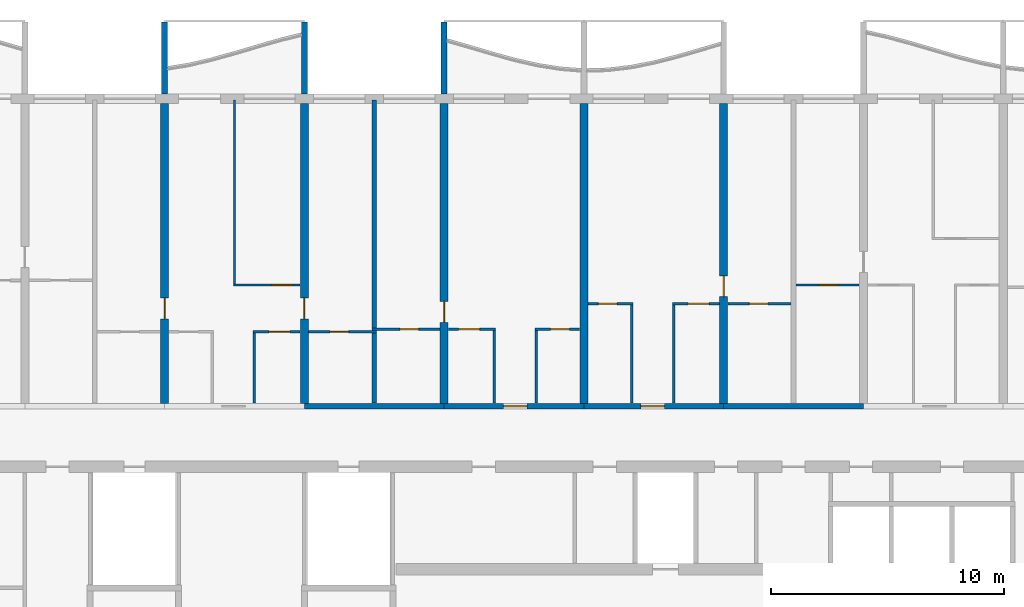
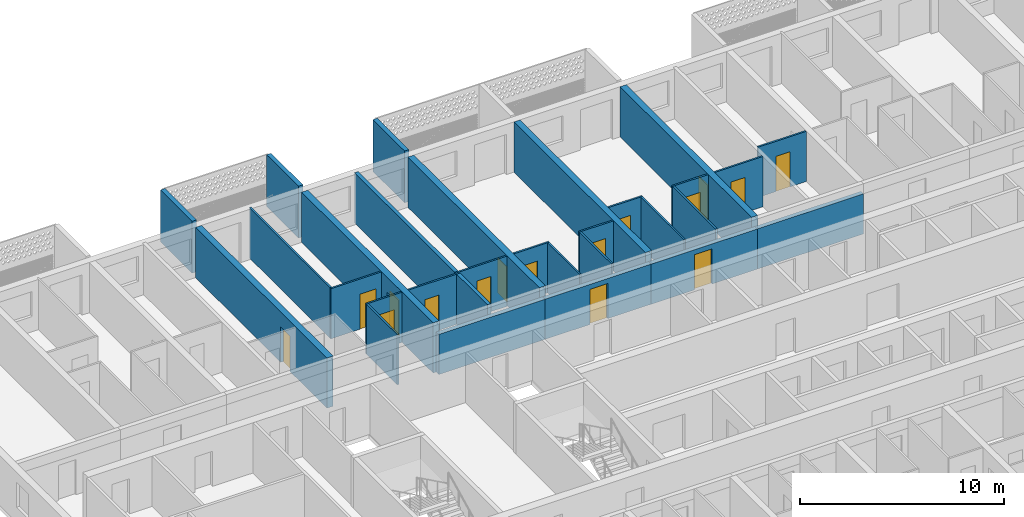
# One storey, part 10 of 24: 30 walls, 16 doors, 16 openings.
"""IFC4 building model written with IfcOpenShell, lengths in metres."""

from ifc_helpers import new_model, si_unit, direction, frame, frame_2d, origin, place, context, subcontext, project, spatial, polyline, rectangle, outline, extrude, source, transform, mapped, material, layer, layer_set, type_object, element, fill, save


model = new_model("IFC4")

# Units and contexts
model_context = context("Model", 3, precision=1e-05, world=origin(), true_north=direction((0.0, 1.0)))
body_context = subcontext(model_context, "Body", "Model", "MODEL_VIEW")
ifc_project = project(units=[si_unit("LENGTHUNIT", "METRE"), si_unit("AREAUNIT", "SQUARE_METRE"), si_unit("VOLUMEUNIT", "CUBIC_METRE"), si_unit("PLANEANGLEUNIT", "RADIAN"), si_unit("MASSUNIT", "GRAM", prefix="KILO")], contexts=[model_context])

# Site, building, storey
site_placement = place(None, origin())
site = spatial("IfcSite", under=ifc_project, at=site_placement, CompositionType="ELEMENT")
building_placement = place(site_placement, origin())
building = spatial("IfcBuilding", under=site, at=building_placement, Name="Poui Terraces", CompositionType="ELEMENT")
storey_placement = place(building_placement, frame((0.0, 0.0, 102.60009765625)))
storey = spatial("IfcBuildingStorey", under=building, at=storey_placement, Name="L28", CompositionType="ELEMENT", Elevation=102.60009765625)

# Wall
ifc_material_1 = material(Name="Concrete 65 MPa", Category="concrete")
ifc_layer_1 = layer(ifc_material_1, 0.25)
ifc_layer_set_1 = layer_set([ifc_layer_1], Name="Concrete 65 MPa")
wall_type_1 = type_object("IfcWallType", Name="CORRIDOR WALL 250 65MPa", PredefinedType="SHEAR", material=ifc_layer_set_1)
wall_1_placement = place(storey_placement, frame((30.0, 30.39990234375, 0.0), z_axis=(0.0, 0.0, 1.0), x_axis=(1.0, 0.0, 0.0)))
element("IfcWall", 1, at=wall_1_placement, inside=storey, type_object=wall_type_1, Name="CORRIDOR WALL LINE E BAY 5", PredefinedType="SHEAR", context=body_context, shape_type="SweptSolid", body=[
    extrude(rectangle(XDim=6.0, YDim=0.25, at=frame_2d((3.0, 0.0))), origin(), (0.0, 0.0, 1.0), 2.39990234375),
])

# Wall, opening, door
wall_2_placement = place(storey_placement, frame((36.0, 30.39990234375, 0.0), z_axis=(0.0, 0.0, 1.0), x_axis=(1.0, 0.0, 0.0)))
wall_2 = element("IfcWall", 2, at=wall_2_placement, inside=storey, type_object=wall_type_1, Name="CORRIDOR WALL LINE E BAY 6", PredefinedType="SHEAR", context=body_context, shape_type="SweptSolid", body=[
    extrude(rectangle(XDim=6.0, YDim=0.25, at=frame_2d((3.0, 0.0))), origin(), (0.0, 0.0, 1.0), 2.39990234375),
])
opening_1_placement = place(wall_2_placement, frame((2.550048828125, 0.0, 0.0)))
opening_1 = element("IfcOpeningElement", 3, at=opening_1_placement, cuts=wall_2, Name="Opening FD30S", PredefinedType="OPENING", context=body_context, shape_type="SweptSolid", body=[
    extrude(rectangle(XDim=1.0, YDim=2.10009765625, at=frame_2d((0.5, 1.050048828125))), frame((0.0, 0.135009765625, 0.0), z_axis=(0.0, -1.0, 0.0), x_axis=(1.0, 0.0, 0.0)), (0.0, 0.0, 1.0), 0.27001953125),
])
ifc_material_2 = material(Name="Steel fire door", Category="steel")
door_type_1 = type_object("IfcDoorType", Name="FLAT ENTRANCE DOOR 1000 X 2100", OperationType="NOTDEFINED", PredefinedType="DOOR", material=ifc_material_2)
door_1_placement = place(opening_1_placement, origin())
door_1 = element("IfcDoor", 4, at=door_1_placement, inside=storey, type_object=door_type_1, Name="FLAT ENTRANCE DOOR 048", OperationType="SINGLE_SWING_RIGHT", OverallHeight=2.10009765625, OverallWidth=1.0, PredefinedType="DOOR", context=body_context, shape_type="SweptSolid", body=[
    extrude(rectangle(XDim=1.0, YDim=2.10009765625, at=frame_2d((0.5, 1.050048828125))), frame((0.0, 0.02490234375, 0.0), z_axis=(0.0, -1.0, 0.0), x_axis=(1.0, 0.0, 0.0)), (0.0, 0.0, 1.0), 0.050048828125),
])
fill(opening_1, door_1)

wall_3_placement = place(storey_placement, frame((42.0, 30.39990234375, 0.0), z_axis=(0.0, 0.0, 1.0), x_axis=(1.0, 0.0, 0.0)))
wall_3 = element("IfcWall", 5, at=wall_3_placement, inside=storey, type_object=wall_type_1, Name="CORRIDOR WALL LINE E BAY 7", PredefinedType="SHEAR", context=body_context, shape_type="SweptSolid", body=[
    extrude(rectangle(XDim=6.0, YDim=0.25, at=frame_2d((3.0, 0.0))), origin(), (0.0, 0.0, 1.0), 2.39990234375),
])
opening_2_placement = place(wall_3_placement, frame((2.449951171875, 0.0, 0.0)))
opening_2 = element("IfcOpeningElement", 6, at=opening_2_placement, cuts=wall_3, Name="Opening FD30S", PredefinedType="OPENING", context=body_context, shape_type="SweptSolid", body=[
    extrude(rectangle(XDim=1.0, YDim=2.10009765625, at=frame_2d((0.5, 1.050048828125))), frame((0.0, 0.135009765625, 0.0), z_axis=(0.0, -1.0, 0.0), x_axis=(1.0, 0.0, 0.0)), (0.0, 0.0, 1.0), 0.27001953125),
])
door_2_placement = place(opening_2_placement, origin())
door_2 = element("IfcDoor", 7, at=door_2_placement, inside=storey, type_object=door_type_1, Name="FLAT ENTRANCE DOOR 052", OperationType="SINGLE_SWING_LEFT", OverallHeight=2.10009765625, OverallWidth=1.0, PredefinedType="DOOR", context=body_context, shape_type="SweptSolid", body=[
    extrude(rectangle(XDim=1.0, YDim=2.10009765625, at=frame_2d((0.5, 1.050048828125))), frame((0.0, 0.02490234375, 0.0), z_axis=(0.0, -1.0, 0.0), x_axis=(1.0, 0.0, 0.0)), (0.0, 0.0, 1.0), 0.050048828125),
])
fill(opening_2, door_2)

# Wall
wall_4_placement = place(storey_placement, frame((48.0, 30.39990234375, 0.0), z_axis=(0.0, 0.0, 1.0), x_axis=(1.0, 0.0, 0.0)))
element("IfcWall", 8, at=wall_4_placement, inside=storey, type_object=wall_type_1, Name="CORRIDOR WALL LINE E BAY 8", PredefinedType="SHEAR", context=body_context, shape_type="SweptSolid", body=[
    extrude(rectangle(XDim=6.0, YDim=0.25, at=frame_2d((3.0, 0.0))), origin(), (0.0, 0.0, 1.0), 2.39990234375),
])

# Wall, opening, door
ifc_layer_2 = layer(ifc_material_1, 0.35009765625)
ifc_layer_set_2 = layer_set([ifc_layer_2], Name="Concrete 65 MPa")
wall_type_2 = type_object("IfcWallType", Name="CROSS WALL 350 65MPa", PredefinedType="SHEAR", material=ifc_layer_set_2)
wall_5_placement = place(storey_placement, frame((24.0, 30.52490234375, 0.0), z_axis=(0.0, 0.0, 1.0), x_axis=(0.0, 1.0, 0.0)))
wall_5 = element("IfcWall", 9, at=wall_5_placement, inside=storey, type_object=wall_type_2, Name="CROSS WALL LINE 5 NORTH", PredefinedType="SHEAR", context=body_context, shape_type="SweptSolid", body=[
    extrude(rectangle(XDim=12.875, YDim=0.35009765625, at=frame_2d((6.4375, 0.0))), origin(), (0.0, 0.0, 1.0), 3.0),
])
opening_3_placement = place(wall_5_placement, frame((3.625, 0.0, 0.0)))
opening_3 = element("IfcOpeningElement", 10, at=opening_3_placement, cuts=wall_5, Name="Opening D90", PredefinedType="OPENING", context=body_context, shape_type="SweptSolid", body=[
    extrude(rectangle(XDim=0.89990234375, YDim=2.10009765625, at=frame_2d((0.449951171875, 1.050048828125))), frame((0.0, 0.18505859375, 0.0), z_axis=(0.0, -1.0, 0.0), x_axis=(1.0, 0.0, 0.0)), (0.0, 0.0, 1.0), 0.3701171875),
])
ifc_material_3 = material(Name="Solid core timber door", Category="wood")
door_type_2 = type_object("IfcDoorType", Name="INTERNAL DOOR 900 X 2100", OperationType="NOTDEFINED", PredefinedType="DOOR", material=ifc_material_3)
door_3_placement = place(opening_3_placement, origin())
door_3 = element("IfcDoor", 11, at=door_3_placement, inside=storey, type_object=door_type_2, Name="INTERNAL DOOR 039", OperationType="SINGLE_SWING_LEFT", OverallHeight=2.10009765625, OverallWidth=0.89990234375, PredefinedType="DOOR", context=body_context, shape_type="SweptSolid", body=[
    extrude(rectangle(XDim=0.89990234375, YDim=2.10009765625, at=frame_2d((0.449951171875, 1.050048828125))), frame((0.0, 0.02490234375, 0.0), z_axis=(0.0, -1.0, 0.0), x_axis=(1.0, 0.0, 0.0)), (0.0, 0.0, 1.0), 0.050048828125),
])
fill(opening_3, door_3)

wall_6_placement = place(storey_placement, frame((30.0, 30.52490234375, 0.0), z_axis=(0.0, 0.0, 1.0), x_axis=(0.0, 1.0, 0.0)))
wall_6 = element("IfcWall", 12, at=wall_6_placement, inside=storey, type_object=wall_type_2, Name="CROSS WALL LINE 6 NORTH", PredefinedType="SHEAR", context=body_context, shape_type="SweptSolid", body=[
    extrude(rectangle(XDim=12.875, YDim=0.35009765625, at=frame_2d((6.4375, 0.0))), origin(), (0.0, 0.0, 1.0), 3.0),
])
opening_4_placement = place(wall_6_placement, frame((3.625, 0.0, 0.0)))
opening_4 = element("IfcOpeningElement", 13, at=opening_4_placement, cuts=wall_6, Name="Opening D90", PredefinedType="OPENING", context=body_context, shape_type="SweptSolid", body=[
    extrude(rectangle(XDim=0.89990234375, YDim=2.10009765625, at=frame_2d((0.449951171875, 1.050048828125))), frame((0.0, 0.18505859375, 0.0), z_axis=(0.0, -1.0, 0.0), x_axis=(1.0, 0.0, 0.0)), (0.0, 0.0, 1.0), 0.3701171875),
])
door_4_placement = place(opening_4_placement, frame((0.89990234375, 0.0, 0.0), z_axis=(0.0, 0.0, 1.0), x_axis=(-1.0, 0.0, 0.0)))
door_4 = element("IfcDoor", 14, at=door_4_placement, inside=storey, type_object=door_type_2, Name="INTERNAL DOOR 044", OperationType="SINGLE_SWING_RIGHT", OverallHeight=2.10009765625, OverallWidth=0.89990234375, PredefinedType="DOOR", context=body_context, shape_type="SweptSolid", body=[
    extrude(rectangle(XDim=0.89990234375, YDim=2.10009765625, at=frame_2d((0.449951171875, 1.050048828125))), frame((0.0, 0.02490234375, 0.0), z_axis=(0.0, -1.0, 0.0), x_axis=(1.0, 0.0, 0.0)), (0.0, 0.0, 1.0), 0.050048828125),
])
fill(opening_4, door_4)

wall_7_placement = place(storey_placement, frame((36.0, 30.52490234375, 0.0), z_axis=(0.0, 0.0, 1.0), x_axis=(0.0, 1.0, 0.0)))
wall_7 = element("IfcWall", 15, at=wall_7_placement, inside=storey, type_object=wall_type_2, Name="CROSS WALL LINE 7 NORTH", PredefinedType="SHEAR", context=body_context, shape_type="SweptSolid", body=[
    extrude(rectangle(XDim=12.875, YDim=0.35009765625, at=frame_2d((6.4375, 0.0))), origin(), (0.0, 0.0, 1.0), 3.0),
])
opening_5_placement = place(wall_7_placement, frame((3.47509765625, 0.0, 0.0)))
opening_5 = element("IfcOpeningElement", 16, at=opening_5_placement, cuts=wall_7, Name="Opening D90", PredefinedType="OPENING", context=body_context, shape_type="SweptSolid", body=[
    extrude(rectangle(XDim=0.89990234375, YDim=2.10009765625, at=frame_2d((0.449951171875, 1.050048828125))), frame((0.0, 0.18505859375, 0.0), z_axis=(0.0, -1.0, 0.0), x_axis=(1.0, 0.0, 0.0)), (0.0, 0.0, 1.0), 0.3701171875),
])
door_5_placement = place(opening_5_placement, origin())
door_5 = element("IfcDoor", 17, at=door_5_placement, inside=storey, type_object=door_type_2, Name="INTERNAL DOOR 046", OperationType="SINGLE_SWING_LEFT", OverallHeight=2.10009765625, OverallWidth=0.89990234375, PredefinedType="DOOR", context=body_context, shape_type="SweptSolid", body=[
    extrude(rectangle(XDim=0.89990234375, YDim=2.10009765625, at=frame_2d((0.449951171875, 1.050048828125))), frame((0.0, 0.02490234375, 0.0), z_axis=(0.0, -1.0, 0.0), x_axis=(1.0, 0.0, 0.0)), (0.0, 0.0, 1.0), 0.050048828125),
])
fill(opening_5, door_5)

# Wall
wall_8_placement = place(storey_placement, frame((42.0, 30.52490234375, 0.0), z_axis=(0.0, 0.0, 1.0), x_axis=(0.0, 1.0, 0.0)))
element("IfcWall", 18, at=wall_8_placement, inside=storey, type_object=wall_type_2, Name="CROSS WALL LINE 8 NORTH", PredefinedType="SHEAR", context=body_context, shape_type="SweptSolid", body=[
    extrude(rectangle(XDim=12.875, YDim=0.35009765625, at=frame_2d((6.4375, 0.0))), origin(), (0.0, 0.0, 1.0), 3.0),
])

# Wall, opening, door
wall_9_placement = place(storey_placement, frame((48.0, 30.52490234375, 0.0), z_axis=(0.0, 0.0, 1.0), x_axis=(0.0, 1.0, 0.0)))
wall_9 = element("IfcWall", 19, at=wall_9_placement, inside=storey, type_object=wall_type_2, Name="CROSS WALL LINE 9 NORTH", PredefinedType="SHEAR", context=body_context, shape_type="SweptSolid", body=[
    extrude(rectangle(XDim=12.875, YDim=0.35009765625, at=frame_2d((6.4375, 0.0))), origin(), (0.0, 0.0, 1.0), 3.0),
])
opening_6_placement = place(wall_9_placement, frame((4.574951171875, 0.0, 0.0)))
opening_6 = element("IfcOpeningElement", 20, at=opening_6_placement, cuts=wall_9, Name="Opening D90", PredefinedType="OPENING", context=body_context, shape_type="SweptSolid", body=[
    extrude(rectangle(XDim=0.89990234375, YDim=2.10009765625, at=frame_2d((0.449951171875, 1.050048828125))), frame((0.0, 0.18505859375, 0.0), z_axis=(0.0, -1.0, 0.0), x_axis=(1.0, 0.0, 0.0)), (0.0, 0.0, 1.0), 0.3701171875),
])
door_6_placement = place(opening_6_placement, frame((0.89990234375, 0.0, 0.0), z_axis=(0.0, 0.0, 1.0), x_axis=(-1.0, 0.0, 0.0)))
door_6 = element("IfcDoor", 21, at=door_6_placement, inside=storey, type_object=door_type_2, Name="INTERNAL DOOR 054", OperationType="SINGLE_SWING_RIGHT", OverallHeight=2.10009765625, OverallWidth=0.89990234375, PredefinedType="DOOR", context=body_context, shape_type="SweptSolid", body=[
    extrude(rectangle(XDim=0.89990234375, YDim=2.10009765625, at=frame_2d((0.449951171875, 1.050048828125))), frame((0.0, 0.02490234375, 0.0), z_axis=(0.0, -1.0, 0.0), x_axis=(1.0, 0.0, 0.0)), (0.0, 0.0, 1.0), 0.050048828125),
])
fill(opening_6, door_6)

ifc_material_4 = material(Name="Plasterboard partition")
ifc_layer_3 = layer(ifc_material_4, 0.10009765625)
ifc_layer_set_3 = layer_set([ifc_layer_3], Name="Plasterboard partition")
wall_type_3 = type_object("IfcWallType", Name="FLAT PARTITION 100", PredefinedType="PARTITIONING", material=ifc_layer_set_3)
wall_10_placement = place(storey_placement, frame((27.800048828125, 33.60009765625, 0.0), z_axis=(0.0, 0.0, 1.0), x_axis=(1.0, 0.0, 0.0)))
wall_10 = element("IfcWall", 22, at=wall_10_placement, inside=storey, type_object=wall_type_3, Name="FLAT PARTITION 100", PredefinedType="PARTITIONING", context=body_context, shape_type="SweptSolid", body=[
    extrude(rectangle(XDim=2.014892578125, YDim=0.10009765625, at=frame_2d((1.00732421875, 0.0))), origin(), (0.0, 0.0, 1.0), 3.0),
])
opening_7_placement = place(wall_10_placement, frame((0.675048828125, 0.0, 0.0)))
opening_7 = element("IfcOpeningElement", 23, at=opening_7_placement, cuts=wall_10, Name="Opening D90", PredefinedType="OPENING", context=body_context, shape_type="SweptSolid", body=[
    extrude(rectangle(XDim=0.89990234375, YDim=2.10009765625, at=frame_2d((0.449951171875, 1.050048828125))), frame((0.0, 0.06005859375, 0.0), z_axis=(0.0, -1.0, 0.0), x_axis=(1.0, 0.0, 0.0)), (0.0, 0.0, 1.0), 0.1201171875),
])
door_7_placement = place(opening_7_placement, frame((0.89990234375, 0.0, 0.0), z_axis=(0.0, 0.0, 1.0), x_axis=(-1.0, 0.0, 0.0)))
door_7 = element("IfcDoor", 24, at=door_7_placement, inside=storey, type_object=door_type_2, Name="INTERNAL DOOR 042", OperationType="SINGLE_SWING_LEFT", OverallHeight=2.10009765625, OverallWidth=0.89990234375, PredefinedType="DOOR", context=body_context, shape_type="SweptSolid", body=[
    extrude(rectangle(XDim=0.89990234375, YDim=2.10009765625, at=frame_2d((0.449951171875, 1.050048828125))), frame((0.0, 0.02490234375, 0.0), z_axis=(0.0, -1.0, 0.0), x_axis=(1.0, 0.0, 0.0)), (0.0, 0.0, 1.0), 0.050048828125),
])
fill(opening_7, door_7)

wall_11_placement = place(storey_placement, frame((30.18505859375, 33.60009765625, 0.0), z_axis=(0.0, 0.0, 1.0), x_axis=(1.0, 0.0, 0.0)))
wall_11 = element("IfcWall", 25, at=wall_11_placement, inside=storey, type_object=wall_type_3, Name="FLAT PARTITION 100", PredefinedType="PARTITIONING", context=body_context, shape_type="SweptSolid", body=[
    extrude(rectangle(XDim=2.9150390625, YDim=0.10009765625, at=frame_2d((1.45751953125, 0.0))), origin(), (0.0, 0.0, 1.0), 3.0),
])
opening_8_placement = place(wall_11_placement, frame((0.9150390625, 0.0, 0.0)))
opening_8 = element("IfcOpeningElement", 26, at=opening_8_placement, cuts=wall_11, Name="Opening D80", PredefinedType="OPENING", context=body_context, shape_type="SweptSolid", body=[
    extrude(rectangle(XDim=0.800048828125, YDim=2.10009765625, at=frame_2d((0.39990234375, 1.050048828125))), frame((0.0, 0.06005859375, 0.0), z_axis=(0.0, -1.0, 0.0), x_axis=(1.0, 0.0, 0.0)), (0.0, 0.0, 1.0), 0.1201171875),
])
door_type_3 = type_object("IfcDoorType", Name="BATHROOM, LAUNDRY AND STORE DOOR 800 X 2100", OperationType="NOTDEFINED", PredefinedType="DOOR", material=ifc_material_3)
door_8_placement = place(opening_8_placement, frame((0.800048828125, 0.0, 0.0), z_axis=(0.0, 0.0, 1.0), x_axis=(-1.0, 0.0, 0.0)))
door_8 = element("IfcDoor", 27, at=door_8_placement, inside=storey, type_object=door_type_3, Name="BATHROOM, LAUNDRY AND STORE DOOR 038", OperationType="SINGLE_SWING_RIGHT", OverallHeight=2.10009765625, OverallWidth=0.800048828125, PredefinedType="DOOR", context=body_context, shape_type="SweptSolid", body=[
    extrude(rectangle(XDim=0.800048828125, YDim=2.10009765625, at=frame_2d((0.39990234375, 1.050048828125))), frame((0.0, 0.02490234375, 0.0), z_axis=(0.0, -1.0, 0.0), x_axis=(1.0, 0.0, 0.0)), (0.0, 0.0, 1.0), 0.050048828125),
])
fill(opening_8, door_8)

wall_12_placement = place(storey_placement, frame((32.89990234375, 33.699951171875, 0.0), z_axis=(0.0, 0.0, 1.0), x_axis=(1.0, 0.0, 0.0)))
wall_12 = element("IfcWall", 28, at=wall_12_placement, inside=storey, type_object=wall_type_3, Name="FLAT PARTITION 100", PredefinedType="PARTITIONING", context=body_context, shape_type="SweptSolid", body=[
    extrude(rectangle(XDim=2.9150390625, YDim=0.10009765625, at=frame_2d((1.45751953125, 0.0))), origin(), (0.0, 0.0, 1.0), 3.0),
])
opening_9_placement = place(wall_12_placement, frame((1.199951171875, 0.0, 0.0)))
opening_9 = element("IfcOpeningElement", 29, at=opening_9_placement, cuts=wall_12, Name="Opening D80", PredefinedType="OPENING", context=body_context, shape_type="SweptSolid", body=[
    extrude(rectangle(XDim=0.800048828125, YDim=2.10009765625, at=frame_2d((0.39990234375, 1.050048828125))), frame((0.0, 0.06005859375, 0.0), z_axis=(0.0, -1.0, 0.0), x_axis=(1.0, 0.0, 0.0)), (0.0, 0.0, 1.0), 0.1201171875),
])
door_9_placement = place(opening_9_placement, frame((0.800048828125, 0.0, 0.0), z_axis=(0.0, 0.0, 1.0), x_axis=(-1.0, 0.0, 0.0)))
door_9 = element("IfcDoor", 30, at=door_9_placement, inside=storey, type_object=door_type_3, Name="BATHROOM, LAUNDRY AND STORE DOOR 045", OperationType="SINGLE_SWING_LEFT", OverallHeight=2.10009765625, OverallWidth=0.800048828125, PredefinedType="DOOR", context=body_context, shape_type="SweptSolid", body=[
    extrude(rectangle(XDim=0.800048828125, YDim=2.10009765625, at=frame_2d((0.39990234375, 1.050048828125))), frame((0.0, 0.02490234375, 0.0), z_axis=(0.0, -1.0, 0.0), x_axis=(1.0, 0.0, 0.0)), (0.0, 0.0, 1.0), 0.050048828125),
])
fill(opening_9, door_9)

wall_13_placement = place(storey_placement, frame((36.18505859375, 33.699951171875, 0.0), z_axis=(0.0, 0.0, 1.0), x_axis=(1.0, 0.0, 0.0)))
wall_13 = element("IfcWall", 31, at=wall_13_placement, inside=storey, type_object=wall_type_3, Name="FLAT PARTITION 100", PredefinedType="PARTITIONING", context=body_context, shape_type="SweptSolid", body=[
    extrude(rectangle(XDim=2.014892578125, YDim=0.10009765625, at=frame_2d((1.00732421875, 0.0))), origin(), (0.0, 0.0, 1.0), 3.0),
])
opening_10_placement = place(wall_13_placement, frame((0.43994140625, 0.0, 0.0)))
opening_10 = element("IfcOpeningElement", 32, at=opening_10_placement, cuts=wall_13, Name="Opening D90", PredefinedType="OPENING", context=body_context, shape_type="SweptSolid", body=[
    extrude(rectangle(XDim=0.89990234375, YDim=2.10009765625, at=frame_2d((0.449951171875, 1.050048828125))), frame((0.0, 0.06005859375, 0.0), z_axis=(0.0, -1.0, 0.0), x_axis=(1.0, 0.0, 0.0)), (0.0, 0.0, 1.0), 0.1201171875),
])
door_10_placement = place(opening_10_placement, frame((0.89990234375, 0.0, 0.0), z_axis=(0.0, 0.0, 1.0), x_axis=(-1.0, 0.0, 0.0)))
door_10 = element("IfcDoor", 33, at=door_10_placement, inside=storey, type_object=door_type_2, Name="INTERNAL DOOR 047", OperationType="SINGLE_SWING_RIGHT", OverallHeight=2.10009765625, OverallWidth=0.89990234375, PredefinedType="DOOR", context=body_context, shape_type="SweptSolid", body=[
    extrude(rectangle(XDim=0.89990234375, YDim=2.10009765625, at=frame_2d((0.449951171875, 1.050048828125))), frame((0.0, 0.02490234375, 0.0), z_axis=(0.0, -1.0, 0.0), x_axis=(1.0, 0.0, 0.0)), (0.0, 0.0, 1.0), 0.050048828125),
])
fill(opening_10, door_10)

wall_14_placement = place(storey_placement, frame((39.89990234375, 33.699951171875, 0.0), z_axis=(0.0, 0.0, 1.0), x_axis=(1.0, 0.0, 0.0)))
wall_14 = element("IfcWall", 34, at=wall_14_placement, inside=storey, type_object=wall_type_3, Name="FLAT PARTITION 100", PredefinedType="PARTITIONING", context=body_context, shape_type="SweptSolid", body=[
    extrude(rectangle(XDim=1.9150390625, YDim=0.10009765625, at=frame_2d((0.95751953125, 0.0))), origin(), (0.0, 0.0, 1.0), 3.0),
])
opening_11_placement = place(wall_14_placement, frame((0.675048828125, 0.0, 0.0)))
opening_11 = element("IfcOpeningElement", 35, at=opening_11_placement, cuts=wall_14, Name="Opening D80", PredefinedType="OPENING", context=body_context, shape_type="SweptSolid", body=[
    extrude(rectangle(XDim=0.800048828125, YDim=2.10009765625, at=frame_2d((0.39990234375, 1.050048828125))), frame((0.0, 0.06005859375, 0.0), z_axis=(0.0, -1.0, 0.0), x_axis=(1.0, 0.0, 0.0)), (0.0, 0.0, 1.0), 0.1201171875),
])
door_11_placement = place(opening_11_placement, frame((0.800048828125, 0.0, 0.0), z_axis=(0.0, 0.0, 1.0), x_axis=(-1.0, 0.0, 0.0)))
door_11 = element("IfcDoor", 36, at=door_11_placement, inside=storey, type_object=door_type_3, Name="BATHROOM, LAUNDRY AND STORE DOOR 049", OperationType="SINGLE_SWING_LEFT", OverallHeight=2.10009765625, OverallWidth=0.800048828125, PredefinedType="DOOR", context=body_context, shape_type="SweptSolid", body=[
    extrude(rectangle(XDim=0.800048828125, YDim=2.10009765625, at=frame_2d((0.39990234375, 1.050048828125))), frame((0.0, 0.02490234375, 0.0), z_axis=(0.0, -1.0, 0.0), x_axis=(1.0, 0.0, 0.0)), (0.0, 0.0, 1.0), 0.050048828125),
])
fill(opening_11, door_11)

wall_15_placement = place(storey_placement, frame((42.18505859375, 34.800048828125, 0.0), z_axis=(0.0, 0.0, 1.0), x_axis=(1.0, 0.0, 0.0)))
wall_15 = element("IfcWall", 37, at=wall_15_placement, inside=storey, type_object=wall_type_3, Name="FLAT PARTITION 100", PredefinedType="PARTITIONING", context=body_context, shape_type="SweptSolid", body=[
    extrude(rectangle(XDim=1.9150390625, YDim=0.10009765625, at=frame_2d((0.95751953125, 0.0))), origin(), (0.0, 0.0, 1.0), 3.0),
])
opening_12_placement = place(wall_15_placement, frame((0.43994140625, 0.0, 0.0)))
opening_12 = element("IfcOpeningElement", 38, at=opening_12_placement, cuts=wall_15, Name="Opening D80", PredefinedType="OPENING", context=body_context, shape_type="SweptSolid", body=[
    extrude(rectangle(XDim=0.800048828125, YDim=2.10009765625, at=frame_2d((0.39990234375, 1.050048828125))), frame((0.0, 0.06005859375, 0.0), z_axis=(0.0, -1.0, 0.0), x_axis=(1.0, 0.0, 0.0)), (0.0, 0.0, 1.0), 0.1201171875),
])
door_12_placement = place(opening_12_placement, frame((0.800048828125, 0.0, 0.0), z_axis=(0.0, 0.0, 1.0), x_axis=(-1.0, 0.0, 0.0)))
door_12 = element("IfcDoor", 39, at=door_12_placement, inside=storey, type_object=door_type_3, Name="BATHROOM, LAUNDRY AND STORE DOOR 051", OperationType="SINGLE_SWING_LEFT", OverallHeight=2.10009765625, OverallWidth=0.800048828125, PredefinedType="DOOR", context=body_context, shape_type="SweptSolid", body=[
    extrude(rectangle(XDim=0.800048828125, YDim=2.10009765625, at=frame_2d((0.39990234375, 1.050048828125))), frame((0.0, 0.02490234375, 0.0), z_axis=(0.0, -1.0, 0.0), x_axis=(1.0, 0.0, 0.0)), (0.0, 0.0, 1.0), 0.050048828125),
])
fill(opening_12, door_12)

wall_16_placement = place(storey_placement, frame((45.800048828125, 34.800048828125, 0.0), z_axis=(0.0, 0.0, 1.0), x_axis=(1.0, 0.0, 0.0)))
wall_16 = element("IfcWall", 40, at=wall_16_placement, inside=storey, type_object=wall_type_3, Name="FLAT PARTITION 100", PredefinedType="PARTITIONING", context=body_context, shape_type="SweptSolid", body=[
    extrude(rectangle(XDim=2.014892578125, YDim=0.10009765625, at=frame_2d((1.00732421875, 0.0))), origin(), (0.0, 0.0, 1.0), 3.0),
])
opening_13_placement = place(wall_16_placement, frame((0.675048828125, 0.0, 0.0)))
opening_13 = element("IfcOpeningElement", 41, at=opening_13_placement, cuts=wall_16, Name="Opening D90", PredefinedType="OPENING", context=body_context, shape_type="SweptSolid", body=[
    extrude(rectangle(XDim=0.89990234375, YDim=2.10009765625, at=frame_2d((0.449951171875, 1.050048828125))), frame((0.0, 0.06005859375, 0.0), z_axis=(0.0, -1.0, 0.0), x_axis=(1.0, 0.0, 0.0)), (0.0, 0.0, 1.0), 0.1201171875),
])
door_13_placement = place(opening_13_placement, frame((0.89990234375, 0.0, 0.0), z_axis=(0.0, 0.0, 1.0), x_axis=(-1.0, 0.0, 0.0)))
door_13 = element("IfcDoor", 42, at=door_13_placement, inside=storey, type_object=door_type_2, Name="INTERNAL DOOR 053", OperationType="SINGLE_SWING_RIGHT", OverallHeight=2.10009765625, OverallWidth=0.89990234375, PredefinedType="DOOR", context=body_context, shape_type="SweptSolid", body=[
    extrude(rectangle(XDim=0.89990234375, YDim=2.10009765625, at=frame_2d((0.449951171875, 1.050048828125))), frame((0.0, 0.02490234375, 0.0), z_axis=(0.0, -1.0, 0.0), x_axis=(1.0, 0.0, 0.0)), (0.0, 0.0, 1.0), 0.050048828125),
])
fill(opening_13, door_13)

wall_17_placement = place(storey_placement, frame((48.18505859375, 34.800048828125, 0.0), z_axis=(0.0, 0.0, 1.0), x_axis=(1.0, 0.0, 0.0)))
wall_17 = element("IfcWall", 43, at=wall_17_placement, inside=storey, type_object=wall_type_3, Name="FLAT PARTITION 100", PredefinedType="PARTITIONING", context=body_context, shape_type="SweptSolid", body=[
    extrude(rectangle(XDim=2.71484375, YDim=0.10009765625, at=frame_2d((1.357421875, 0.0))), origin(), (0.0, 0.0, 1.0), 3.0),
])
opening_14_placement = place(wall_17_placement, frame((0.9150390625, 0.0, 0.0)))
opening_14 = element("IfcOpeningElement", 44, at=opening_14_placement, cuts=wall_17, Name="Opening D80", PredefinedType="OPENING", context=body_context, shape_type="SweptSolid", body=[
    extrude(rectangle(XDim=0.800048828125, YDim=2.10009765625, at=frame_2d((0.39990234375, 1.050048828125))), frame((0.0, 0.06005859375, 0.0), z_axis=(0.0, -1.0, 0.0), x_axis=(1.0, 0.0, 0.0)), (0.0, 0.0, 1.0), 0.1201171875),
])
door_14_placement = place(opening_14_placement, frame((0.800048828125, 0.0, 0.0), z_axis=(0.0, 0.0, 1.0), x_axis=(-1.0, 0.0, 0.0)))
door_14 = element("IfcDoor", 45, at=door_14_placement, inside=storey, type_object=door_type_3, Name="BATHROOM, LAUNDRY AND STORE DOOR 050", OperationType="SINGLE_SWING_RIGHT", OverallHeight=2.10009765625, OverallWidth=0.800048828125, PredefinedType="DOOR", context=body_context, shape_type="SweptSolid", body=[
    extrude(rectangle(XDim=0.800048828125, YDim=2.10009765625, at=frame_2d((0.39990234375, 1.050048828125))), frame((0.0, 0.02490234375, 0.0), z_axis=(0.0, -1.0, 0.0), x_axis=(1.0, 0.0, 0.0)), (0.0, 0.0, 1.0), 0.050048828125),
])
fill(opening_14, door_14)

wall_18_placement = place(storey_placement, frame((26.949951171875, 35.60009765625, 0.0), z_axis=(0.0, 0.0, 1.0), x_axis=(1.0, 0.0, 0.0)))
wall_18 = element("IfcWall", 46, at=wall_18_placement, inside=storey, type_object=wall_type_3, Name="FLAT PARTITION 100", PredefinedType="PARTITIONING", context=body_context, shape_type="SweptSolid", body=[
    extrude(rectangle(XDim=2.864990234375, YDim=0.10009765625, at=frame_2d((1.4326171875, 0.0))), origin(), (0.0, 0.0, 1.0), 3.0),
])
opening_15_placement = place(wall_18_placement, frame((1.64990234375, 0.0, 0.0)))
opening_15 = element("IfcOpeningElement", 47, at=opening_15_placement, cuts=wall_18, Name="Opening D90", PredefinedType="OPENING", context=body_context, shape_type="SweptSolid", body=[
    extrude(rectangle(XDim=0.89990234375, YDim=2.10009765625, at=frame_2d((0.449951171875, 1.050048828125))), frame((0.0, 0.06005859375, 0.0), z_axis=(0.0, -1.0, 0.0), x_axis=(1.0, 0.0, 0.0)), (0.0, 0.0, 1.0), 0.1201171875),
])
door_15_placement = place(opening_15_placement, frame((0.89990234375, 0.0, 0.0), z_axis=(0.0, 0.0, 1.0), x_axis=(-1.0, 0.0, 0.0)))
door_15 = element("IfcDoor", 48, at=door_15_placement, inside=storey, type_object=door_type_2, Name="INTERNAL DOOR 043", OperationType="SINGLE_SWING_RIGHT", OverallHeight=2.10009765625, OverallWidth=0.89990234375, PredefinedType="DOOR", context=body_context, shape_type="SweptSolid", body=[
    extrude(rectangle(XDim=0.89990234375, YDim=2.10009765625, at=frame_2d((0.449951171875, 1.050048828125))), frame((0.0, 0.02490234375, 0.0), z_axis=(0.0, -1.0, 0.0), x_axis=(1.0, 0.0, 0.0)), (0.0, 0.0, 1.0), 0.050048828125),
])
fill(opening_15, door_15)

wall_19_placement = place(storey_placement, frame((51.10009765625, 35.60009765625, 0.0), z_axis=(0.0, 0.0, 1.0), x_axis=(1.0, 0.0, 0.0)))
wall_19 = element("IfcWall", 49, at=wall_19_placement, inside=storey, type_object=wall_type_3, Name="FLAT PARTITION 100", PredefinedType="PARTITIONING", context=body_context, shape_type="SweptSolid", body=[
    extrude(rectangle(XDim=2.71484375, YDim=0.10009765625, at=frame_2d((1.357421875, 0.0))), origin(), (0.0, 0.0, 1.0), 3.0),
])
opening_16_placement = place(wall_19_placement, frame((1.0, 0.0, 0.0)))
opening_16 = element("IfcOpeningElement", 50, at=opening_16_placement, cuts=wall_19, Name="Opening D80", PredefinedType="OPENING", context=body_context, shape_type="SweptSolid", body=[
    extrude(rectangle(XDim=0.800048828125, YDim=2.10009765625, at=frame_2d((0.39990234375, 1.050048828125))), frame((0.0, 0.06005859375, 0.0), z_axis=(0.0, -1.0, 0.0), x_axis=(1.0, 0.0, 0.0)), (0.0, 0.0, 1.0), 0.1201171875),
])
door_16_placement = place(opening_16_placement, frame((0.800048828125, 0.0, 0.0), z_axis=(0.0, 0.0, 1.0), x_axis=(-1.0, 0.0, 0.0)))
door_16 = element("IfcDoor", 51, at=door_16_placement, inside=storey, type_object=door_type_3, Name="BATHROOM, LAUNDRY AND STORE DOOR 055", OperationType="SINGLE_SWING_LEFT", OverallHeight=2.10009765625, OverallWidth=0.800048828125, PredefinedType="DOOR", context=body_context, shape_type="SweptSolid", body=[
    extrude(rectangle(XDim=0.800048828125, YDim=2.10009765625, at=frame_2d((0.39990234375, 1.050048828125))), frame((0.0, 0.02490234375, 0.0), z_axis=(0.0, -1.0, 0.0), x_axis=(1.0, 0.0, 0.0)), (0.0, 0.0, 1.0), 0.050048828125),
])
fill(opening_16, door_16)

# Walls
wall_20_placement = place(storey_placement, frame((27.0, 35.64990234375, 0.0), z_axis=(0.0, 0.0, 1.0), x_axis=(0.0, 1.0, 0.0)))
element("IfcWall", 52, at=wall_20_placement, inside=storey, type_object=wall_type_3, Name="FLAT PARTITION 100", PredefinedType="PARTITIONING", context=body_context, shape_type="SweptSolid", body=[
    extrude(rectangle(XDim=7.89013671875, YDim=0.10009765625, at=frame_2d((3.945068359375, 0.0))), origin(), (0.0, 0.0, 1.0), 3.0),
])
wall_21_placement = place(storey_placement, frame((27.85009765625, 30.534912109375, 0.0), z_axis=(0.0, 0.0, 1.0), x_axis=(0.0, 1.0, 0.0)))
element("IfcWall", 53, at=wall_21_placement, inside=storey, type_object=wall_type_3, Name="FLAT PARTITION 100", PredefinedType="PARTITIONING", context=body_context, shape_type="SweptSolid", body=[
    extrude(rectangle(XDim=3.01513671875, YDim=0.10009765625, at=frame_2d((1.507568359375, 0.0))), origin(), (0.0, 0.0, 1.0), 3.0),
])
for number, where, z_axis, x_axis, name in (
    (54, (38.14990234375, 30.534912109375, 0.0), (0.0, 0.0, 1.0), (0.0, 1.0, 0.0), "FLAT PARTITION 100"),
    (55, (39.949951171875, 30.534912109375, 0.0), (0.0, 0.0, 1.0), (0.0, 1.0, 0.0), "FLAT PARTITION 100"),
):
    element("IfcWall", number, at=place(storey_placement, frame(where, z_axis=z_axis, x_axis=x_axis)), inside=storey, type_object=wall_type_3, Name=name, PredefinedType="PARTITIONING", context=body_context, shape_type="SweptSolid", body=[
        extrude(rectangle(XDim=3.114990234375, YDim=0.10009765625, at=frame_2d((1.5576171875, 0.0))), origin(), (0.0, 0.0, 1.0), 3.0),
    ])
for number, where, z_axis, x_axis, name in (
    (56, (44.050048828125, 30.534912109375, 0.0), (0.0, 0.0, 1.0), (0.0, 1.0, 0.0), "FLAT PARTITION 100"),
    (57, (45.85009765625, 30.534912109375, 0.0), (0.0, 0.0, 1.0), (0.0, 1.0, 0.0), "FLAT PARTITION 100"),
):
    element("IfcWall", number, at=place(storey_placement, frame(where, z_axis=z_axis, x_axis=x_axis)), inside=storey, type_object=wall_type_3, Name=name, PredefinedType="PARTITIONING", context=body_context, shape_type="SweptSolid", body=[
        extrude(rectangle(XDim=4.215087890625, YDim=0.10009765625, at=frame_2d((2.107421875, 0.0))), origin(), (0.0, 0.0, 1.0), 3.0),
    ])
ifc_material_5 = material(Name="Fire-rated masonry wall", Category="masonry")
ifc_layer_4 = layer(ifc_material_5, 0.199951171875)
ifc_layer_set_4 = layer_set([ifc_layer_4], Name="Fire-rated masonry wall")
wall_type_4 = type_object("IfcWallType", Name="FLAT PARTY WALL 200", PredefinedType="PARTITIONING", material=ifc_layer_set_4)
wall_22_placement = place(storey_placement, frame((33.0, 30.534912109375, 0.0), z_axis=(0.0, 0.0, 1.0), x_axis=(0.0, 1.0, 0.0)))
element("IfcWall", 58, at=wall_22_placement, inside=storey, type_object=wall_type_4, Name="FLAT PARTY WALL 200", PredefinedType="PARTITIONING", context=body_context, shape_type="SweptSolid", body=[
    extrude(rectangle(XDim=3.01513671875, YDim=0.199951171875, at=frame_2d((1.507568359375, 0.0))), origin(), (0.0, 0.0, 1.0), 3.0),
])
wall_23_placement = place(storey_placement, frame((33.0, 33.75, 0.0), z_axis=(0.0, 0.0, 1.0), x_axis=(0.0, 1.0, 0.0)))
element("IfcWall", 59, at=wall_23_placement, inside=storey, type_object=wall_type_4, Name="FLAT PARTY WALL 200", PredefinedType="PARTITIONING", context=body_context, shape_type="SweptSolid", body=[
    extrude(rectangle(XDim=9.7900390625, YDim=0.199951171875, at=frame_2d((4.89501953125, 0.0))), origin(), (0.0, 0.0, 1.0), 3.0),
])
ifc_material_6 = material(Name="Precast concrete 40 MPa", Category="concrete")
ifc_layer_5 = layer(ifc_material_6, 0.25)
ifc_layer_set_5 = layer_set([ifc_layer_5], Name="Precast concrete 40 MPa")
wall_type_5 = type_object("IfcWallType", Name="BALCONY FIN 250", PredefinedType="STANDARD", material=ifc_layer_set_5)
shared_shape = source(origin(), body_context, "Body", "SweptSolid", [
    extrude(outline(polyline([(0.0, 0.0), (0.25, 0.0), (0.25, 3.099853515625), (0.0, 3.099853515625), (0.0, 0.0)])), origin(), (0.0, 0.0, 1.0), 3.099853515625),
])
for number, where, name in (
    (60, (23.875, 43.800048828125, 0.0), "BALCONY FIN"),
    (61, (29.875, 43.800048828125, 0.0), "BALCONY FIN"),
    (62, (35.875, 43.800048828125, 0.0), "BALCONY FIN"),
):
    element("IfcWall", number, at=place(storey_placement, frame(where)), inside=storey, type_object=wall_type_5, Name=name, PredefinedType="STANDARD", context=body_context, shape_type="MappedRepresentation", body=[
        mapped(shared_shape, transform((0.0, 0.0, 0.0))),
    ])

save(model, "model.ifc")
